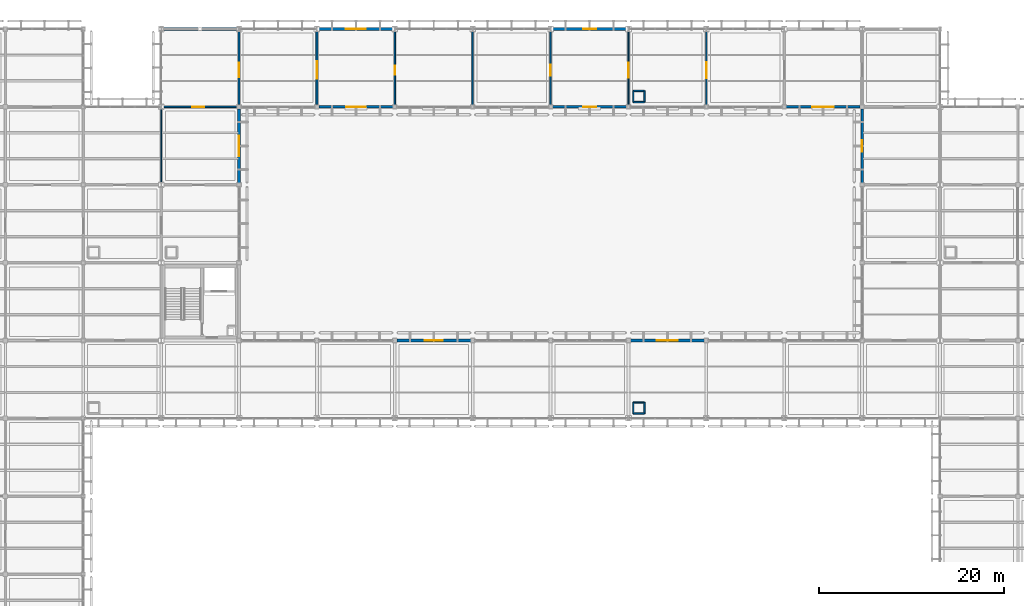
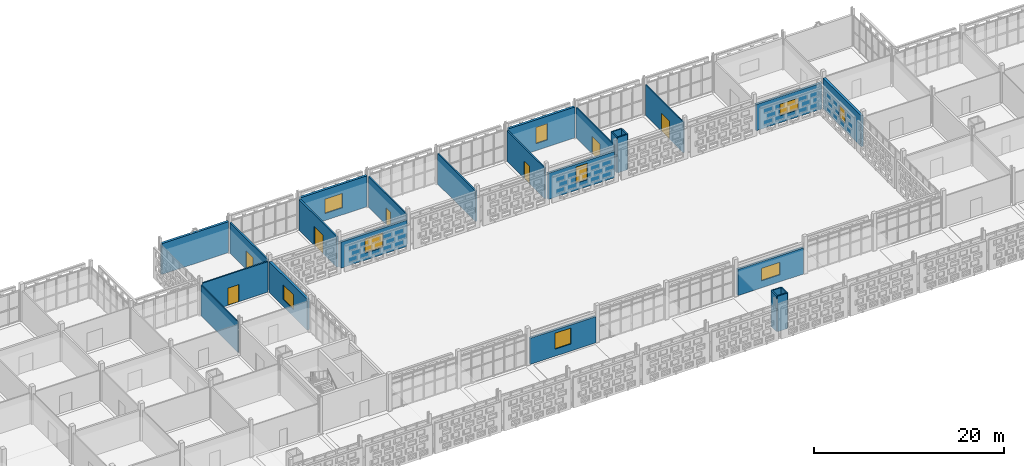
# One storey, part 122 of 203: 27 walls, 9 windows, 7 doors, 16 openings.
"""IFC4 building model written with IfcOpenShell, lengths in metres."""

from ifc_helpers import new_model, si_unit, direction, frame, frame_2d, origin, place, context, subcontext, project, spatial, rectangle, extrude, material, layer, layer_set, type_object, element, fill, save


model = new_model("IFC4")

# Units and contexts
model_context = context("Model", 3, precision=1e-05, world=origin(), true_north=direction((0.0, 1.0)))
body_context = subcontext(model_context, "Body", "Model", "MODEL_VIEW")
ifc_project = project(units=[si_unit("LENGTHUNIT", "METRE"), si_unit("AREAUNIT", "SQUARE_METRE"), si_unit("VOLUMEUNIT", "CUBIC_METRE"), si_unit("PLANEANGLEUNIT", "RADIAN"), si_unit("MASSUNIT", "GRAM", prefix="KILO")], contexts=[model_context])

# Site, building, storey
site_placement = place(None, origin())
site = spatial("IfcSite", under=ifc_project, at=site_placement, CompositionType="ELEMENT")
building_placement = place(site_placement, origin())
building = spatial("IfcBuilding", under=site, at=building_placement, Name="Varnapada Polytechnic", CompositionType="ELEMENT")
storey_placement = place(building_placement, frame((0.0, 0.0, 4.800048828125)))
storey = spatial("IfcBuildingStorey", under=building, at=storey_placement, Name="L01", CompositionType="ELEMENT", Elevation=4.800048828125)

# Walls
ifc_material_1 = material(Name="Autoclaved Aerated Concrete Block AAC-600", Category="concrete")
ifc_layer_1 = layer(ifc_material_1, 0.14990234375)
ifc_layer_set_1 = layer_set([ifc_layer_1], Name="Autoclaved Aerated Concrete Block AAC-600")
wall_type_1 = type_object("IfcWallType", Name="Interior Wall IW-02", PredefinedType="PARTITIONING", material=ifc_layer_set_1)
for number, where, z_axis, x_axis, name in (
    (1, (101.320068359375, 84.52001953125, 0.0), (0.0, 0.0, 1.0), (1.0, 0.0, 0.0), "L01 enclosed service riser wall (13,11) S"),
    (2, (102.52001953125, 84.52001953125, 0.0), (0.0, 0.0, 1.0), (0.0, 1.0, 0.0), "L01 enclosed service riser wall (13,11) E"),
    (3, (102.52001953125, 85.719970703125, 0.0), (0.0, 0.0, 1.0), (-1.0, 0.0, 0.0), "L01 enclosed service riser wall (13,11) N"),
    (4, (101.320068359375, 85.719970703125, 0.0), (0.0, 0.0, 1.0), (0.0, -1.0, 0.0), "L01 enclosed service riser wall (13,11) W"),
):
    element("IfcWall", number, at=place(storey_placement, frame(where, z_axis=z_axis, x_axis=x_axis)), inside=storey, type_object=wall_type_1, Name=name, PredefinedType="PARTITIONING", context=body_context, shape_type="SweptSolid", body=[
        extrude(rectangle(XDim=1.199951171875, YDim=0.14990234375, at=frame_2d((0.60009765625, 0.0))), origin(), (0.0, 0.0, 1.0), 4.56005859375),
    ])
for number, where, z_axis, x_axis, name in (
    (5, (101.320068359375, 118.1201171875, 0.0), (0.0, 0.0, 1.0), (1.0, 0.0, 0.0), "L01 enclosed service riser wall (13,15) S"),
    (6, (102.52001953125, 118.1201171875, 0.0), (0.0, 0.0, 1.0), (0.0, 1.0, 0.0), "L01 enclosed service riser wall (13,15) E"),
    (7, (102.52001953125, 119.320068359375, 0.0), (0.0, 0.0, 1.0), (-1.0, 0.0, 0.0), "L01 enclosed service riser wall (13,15) N"),
    (8, (101.320068359375, 119.320068359375, 0.0), (0.0, 0.0, 1.0), (0.0, -1.0, 0.0), "L01 enclosed service riser wall (13,15) W"),
):
    element("IfcWall", number, at=place(storey_placement, frame(where, z_axis=z_axis, x_axis=x_axis)), inside=storey, type_object=wall_type_1, Name=name, PredefinedType="PARTITIONING", context=body_context, shape_type="SweptSolid", body=[
        extrude(rectangle(XDim=1.199951171875, YDim=0.14990234375, at=frame_2d((0.60009765625, 0.0))), origin(), (0.0, 0.0, 1.0), 4.530029296875),
    ])
ifc_material_2 = material(Name="Gypsum Plasterboard Acoustic Partition")
ifc_layer_2 = layer(ifc_material_2, 0.125)
ifc_layer_set_2 = layer_set([ifc_layer_2], Name="Gypsum Plasterboard Acoustic Partition")
wall_type_2 = type_object("IfcWallType", Name="Interior Wall IW-03", PredefinedType="PARTITIONING", material=ifc_layer_set_2)
wall_1_placement = place(storey_placement, frame((50.39990234375, 109.469970703125, 0.0), z_axis=(0.0, 0.0, 1.0), x_axis=(0.0, 1.0, 0.0)))
element("IfcWall", 9, at=wall_1_placement, inside=storey, type_object=wall_type_2, Name="L01 interior partition IW-L01-05-13-V", PredefinedType="PARTITIONING", context=body_context, shape_type="SweptSolid", body=[
    extrude(rectangle(XDim=7.860107421875, YDim=0.125, at=frame_2d((3.93017578125, 0.0))), origin(), (0.0, 0.0, 1.0), 3.919921875),
])

# Wall, opening, door
ifc_material_3 = material(Name="Moisture-Resistant Cement Board Partition")
ifc_layer_3 = layer(ifc_material_3, 0.139892578125)
ifc_layer_set_3 = layer_set([ifc_layer_3], Name="Moisture-Resistant Cement Board Partition")
wall_type_3 = type_object("IfcWallType", Name="Interior Wall IW-04", PredefinedType="PARTITIONING", material=ifc_layer_set_3)
wall_2_placement = place(storey_placement, frame((100.800048828125, 117.800048828125, 0.0), z_axis=(0.0, 0.0, 1.0), x_axis=(0.0, 1.0, 0.0)))
wall_2 = element("IfcWall", 10, at=wall_2_placement, inside=storey, type_object=wall_type_3, Name="L01 interior partition IW-L01-11-14-V", PredefinedType="PARTITIONING", context=body_context, shape_type="SweptSolid", body=[
    extrude(rectangle(XDim=7.929931640625, YDim=0.139892578125, at=frame_2d((3.96484375, 0.0))), origin(), (0.0, 0.0, 1.0), 3.919921875),
])
opening_1_placement = place(wall_2_placement, frame((2.925048828125, 0.0, 0.0)))
opening_1 = element("IfcOpeningElement", 11, at=opening_1_placement, cuts=wall_2, Name="Opening D-1026", PredefinedType="OPENING", context=body_context, shape_type="SweptSolid", body=[
    extrude(rectangle(XDim=1.64990234375, YDim=2.25, at=frame_2d((0.824951171875, 1.125))), frame((0.0, 0.079833984375, 0.0), z_axis=(0.0, -1.0, 0.0), x_axis=(1.0, 0.0, 0.0)), (0.0, 0.0, 1.0), 0.159912109375),
])
ifc_material_4 = material(Name="Solid Teak Hardwood Timber", Category="wood")
door_type_1 = type_object("IfcDoorType", Name="Interior Door ID-08", OperationType="NOTDEFINED", PredefinedType="DOOR", material=ifc_material_4)
door_1_placement = place(opening_1_placement, origin())
door_1 = element("IfcDoor", 12, at=door_1_placement, inside=storey, type_object=door_type_1, Name="L01 interior room door D-1026", OperationType="SINGLE_SWING_LEFT", OverallHeight=2.25, OverallWidth=1.64990234375, PredefinedType="DOOR", context=body_context, shape_type="SweptSolid", body=[
    extrude(rectangle(XDim=1.64990234375, YDim=2.25, at=frame_2d((0.824951171875, 1.125))), frame((0.0, 0.02490234375, 0.0), z_axis=(0.0, -1.0, 0.0), x_axis=(1.0, 0.0, 0.0)), (0.0, 0.0, 1.0), 0.050048828125),
])
fill(opening_1, door_1)

ifc_material_5 = material(Name="Cross-laminated timber CLT C24", Category="wood")
ifc_layer_4 = layer(ifc_material_5, 0.159912109375)
ifc_layer_set_4 = layer_set([ifc_layer_4], Name="Cross-laminated timber CLT C24")
wall_type_4 = type_object("IfcWallType", Name="Interior Wall IW-05", PredefinedType="PARTITIONING", material=ifc_layer_set_4)
wall_3_placement = place(storey_placement, frame((75.60009765625, 117.800048828125, 0.0), z_axis=(0.0, 0.0, 1.0), x_axis=(0.0, 1.0, 0.0)))
wall_3 = element("IfcWall", 13, at=wall_3_placement, inside=storey, type_object=wall_type_4, Name="L01 interior partition IW-L01-08-14-V", PredefinedType="PARTITIONING", context=body_context, shape_type="SweptSolid", body=[
    extrude(rectangle(XDim=7.929931640625, YDim=0.159912109375, at=frame_2d((3.96484375, 0.0))), origin(), (0.0, 0.0, 1.0), 3.919921875),
])
opening_2_placement = place(wall_3_placement, frame((3.25, 0.0, 0.0)))
opening_2 = element("IfcOpeningElement", 14, at=opening_2_placement, cuts=wall_3, Name="Opening D-1020", PredefinedType="OPENING", context=body_context, shape_type="SweptSolid", body=[
    extrude(rectangle(XDim=1.0, YDim=2.14990234375, at=frame_2d((0.5, 1.074951171875))), frame((0.0, 0.08984375, 0.0), z_axis=(0.0, -1.0, 0.0), x_axis=(1.0, 0.0, 0.0)), (0.0, 0.0, 1.0), 0.179931640625),
])
door_type_2 = type_object("IfcDoorType", Name="Interior Door ID-02", OperationType="NOTDEFINED", PredefinedType="DOOR", material=ifc_material_4)
door_2_placement = place(opening_2_placement, origin())
door_2 = element("IfcDoor", 15, at=door_2_placement, inside=storey, type_object=door_type_2, Name="L01 interior room door D-1020", OperationType="SINGLE_SWING_LEFT", OverallHeight=2.14990234375, OverallWidth=1.0, PredefinedType="DOOR", context=body_context, shape_type="SweptSolid", body=[
    extrude(rectangle(XDim=1.0, YDim=2.14990234375, at=frame_2d((0.5, 1.074951171875))), frame((0.0, 0.02490234375, 0.0), z_axis=(0.0, -1.0, 0.0), x_axis=(1.0, 0.0, 0.0)), (0.0, 0.0, 1.0), 0.050048828125),
])
fill(opening_2, door_2)

ifc_material_6 = material(Name="Calcium Silicate Acoustic Lab Partition")
ifc_layer_5 = layer(ifc_material_6, 0.135009765625)
ifc_layer_set_5 = layer_set([ifc_layer_5], Name="Calcium Silicate Acoustic Lab Partition")
wall_type_5 = type_object("IfcWallType", Name="Interior Wall IW-09", PredefinedType="PARTITIONING", material=ifc_layer_set_5)
wall_4_placement = place(storey_placement, frame((109.199951171875, 117.800048828125, 0.0), z_axis=(0.0, 0.0, 1.0), x_axis=(0.0, 1.0, 0.0)))
wall_4 = element("IfcWall", 16, at=wall_4_placement, inside=storey, type_object=wall_type_5, Name="L01 interior partition IW-L01-12-14-V", PredefinedType="PARTITIONING", context=body_context, shape_type="SweptSolid", body=[
    extrude(rectangle(XDim=7.929931640625, YDim=0.135009765625, at=frame_2d((3.96484375, 0.0))), origin(), (0.0, 0.0, 1.0), 3.919921875),
])
opening_3_placement = place(wall_4_placement, frame((2.89990234375, 0.0, 0.0)))
opening_3 = element("IfcOpeningElement", 17, at=opening_3_placement, cuts=wall_4, Name="Opening D-1031", PredefinedType="OPENING", context=body_context, shape_type="SweptSolid", body=[
    extrude(rectangle(XDim=1.699951171875, YDim=2.300048828125, at=frame_2d((0.85009765625, 1.14990234375))), frame((0.0, 0.077392578125, 0.0), z_axis=(0.0, -1.0, 0.0), x_axis=(1.0, 0.0, 0.0)), (0.0, 0.0, 1.0), 0.155029296875),
])
ifc_material_7 = material(Name="Acoustic Double Timber Leaf", Category="wood")
door_type_3 = type_object("IfcDoorType", Name="Interior Door ID-13", OperationType="NOTDEFINED", PredefinedType="DOOR", material=ifc_material_7)
door_3_placement = place(opening_3_placement, frame((1.699951171875, 0.0, 0.0), z_axis=(0.0, 0.0, 1.0), x_axis=(-1.0, 0.0, 0.0)))
door_3 = element("IfcDoor", 18, at=door_3_placement, inside=storey, type_object=door_type_3, Name="L01 interior room door D-1031", OperationType="SINGLE_SWING_RIGHT", OverallHeight=2.300048828125, OverallWidth=1.699951171875, PredefinedType="DOOR", context=body_context, shape_type="SweptSolid", body=[
    extrude(rectangle(XDim=1.699951171875, YDim=2.300048828125, at=frame_2d((0.85009765625, 1.14990234375))), frame((0.0, 0.02490234375, 0.0), z_axis=(0.0, -1.0, 0.0), x_axis=(1.0, 0.0, 0.0)), (0.0, 0.0, 1.0), 0.050048828125),
])
fill(opening_3, door_3)

ifc_material_8 = material(Name="Double-Layer Fireboard Workshop Wall")
ifc_layer_6 = layer(ifc_material_8, 0.169921875)
ifc_layer_set_6 = layer_set([ifc_layer_6], Name="Double-Layer Fireboard Workshop Wall")
wall_type_6 = type_object("IfcWallType", Name="Interior Wall IW-10", PredefinedType="PARTITIONING", material=ifc_layer_set_6)
wall_5_placement = place(storey_placement, frame((50.669921875, 117.60009765625, 0.0), z_axis=(0.0, 0.0, 1.0), x_axis=(1.0, 0.0, 0.0)))
wall_5 = element("IfcWall", 19, at=wall_5_placement, inside=storey, type_object=wall_type_6, Name="L01 interior partition IW-L01-06-13-H", PredefinedType="PARTITIONING", context=body_context, shape_type="SweptSolid", body=[
    extrude(rectangle(XDim=7.900146484375, YDim=0.169921875, at=frame_2d((3.9501953125, 0.0))), origin(), (0.0, 0.0, 1.0), 3.919921875),
])
opening_4_placement = place(wall_5_placement, frame((3.10009765625, 0.0, 0.0)))
opening_4 = element("IfcOpeningElement", 20, at=opening_4_placement, cuts=wall_5, Name="Opening D-1012", PredefinedType="OPENING", context=body_context, shape_type="SweptSolid", body=[
    extrude(rectangle(XDim=1.300048828125, YDim=2.199951171875, at=frame_2d((0.64990234375, 1.10009765625))), frame((0.0, 0.094970703125, 0.0), z_axis=(0.0, -1.0, 0.0), x_axis=(1.0, 0.0, 0.0)), (0.0, 0.0, 1.0), 0.18994140625),
])
ifc_material_9 = material(Name="Acoustic Laminated Timber Leaf", Category="wood")
door_type_4 = type_object("IfcDoorType", Name="Interior Door ID-11", OperationType="NOTDEFINED", PredefinedType="DOOR", material=ifc_material_9)
door_4_placement = place(opening_4_placement, origin())
door_4 = element("IfcDoor", 21, at=door_4_placement, inside=storey, type_object=door_type_4, Name="L01 interior room door D-1012", OperationType="SINGLE_SWING_LEFT", OverallHeight=2.199951171875, OverallWidth=1.300048828125, PredefinedType="DOOR", context=body_context, shape_type="SweptSolid", body=[
    extrude(rectangle(XDim=1.300048828125, YDim=2.199951171875, at=frame_2d((0.64990234375, 1.10009765625))), frame((0.0, 0.02490234375, 0.0), z_axis=(0.0, -1.0, 0.0), x_axis=(1.0, 0.0, 0.0)), (0.0, 0.0, 1.0), 0.050048828125),
])
fill(opening_4, door_4)

# Wall
wall_6_placement = place(storey_placement, frame((84.0, 117.800048828125, 0.0), z_axis=(0.0, 0.0, 1.0), x_axis=(0.0, 1.0, 0.0)))
element("IfcWall", 22, at=wall_6_placement, inside=storey, type_object=wall_type_6, Name="L01 interior partition IW-L01-09-14-V", PredefinedType="PARTITIONING", context=body_context, shape_type="SweptSolid", body=[
    extrude(rectangle(XDim=7.929931640625, YDim=0.169921875, at=frame_2d((3.96484375, 0.0))), origin(), (0.0, 0.0, 1.0), 3.919921875),
])

# Wall, opening, door
ifc_material_10 = material(Name="Insulated Masonry Plant Room Wall", Category="masonry")
ifc_layer_7 = layer(ifc_material_10, 0.18994140625)
ifc_layer_set_7 = layer_set([ifc_layer_7], Name="Insulated Masonry Plant Room Wall")
wall_type_7 = type_object("IfcWallType", Name="Interior Wall IW-11", PredefinedType="PARTITIONING", material=ifc_layer_set_7)
wall_7_placement = place(storey_placement, frame((58.800048828125, 117.830078125, 0.0), z_axis=(0.0, 0.0, 1.0), x_axis=(0.0, 1.0, 0.0)))
wall_7 = element("IfcWall", 23, at=wall_7_placement, inside=storey, type_object=wall_type_7, Name="L01 interior partition IW-L01-06-14-V", PredefinedType="PARTITIONING", context=body_context, shape_type="SweptSolid", body=[
    extrude(rectangle(XDim=7.89990234375, YDim=0.18994140625, at=frame_2d((3.949951171875, 0.0))), origin(), (0.0, 0.0, 1.0), 3.919921875),
])
opening_5_placement = place(wall_7_placement, frame((2.97509765625, 0.0, 0.0)))
opening_5 = element("IfcOpeningElement", 24, at=opening_5_placement, cuts=wall_7, Name="Opening D-1013", PredefinedType="OPENING", context=body_context, shape_type="SweptSolid", body=[
    extrude(rectangle(XDim=1.550048828125, YDim=2.35009765625, at=frame_2d((0.77490234375, 1.175048828125))), frame((0.0, 0.10498046875, 0.0), z_axis=(0.0, -1.0, 0.0), x_axis=(1.0, 0.0, 0.0)), (0.0, 0.0, 1.0), 0.2099609375),
])
ifc_material_11 = material(Name="Galvanized Steel Z275", Category="steel")
door_type_5 = type_object("IfcDoorType", Name="Interior Door ID-12", OperationType="NOTDEFINED", PredefinedType="DOOR", material=ifc_material_11)
door_5_placement = place(opening_5_placement, frame((1.550048828125, 0.0, 0.0), z_axis=(0.0, 0.0, 1.0), x_axis=(-1.0, 0.0, 0.0)))
door_5 = element("IfcDoor", 25, at=door_5_placement, inside=storey, type_object=door_type_5, Name="L01 interior room door D-1013", OperationType="SINGLE_SWING_RIGHT", OverallHeight=2.35009765625, OverallWidth=1.550048828125, PredefinedType="DOOR", context=body_context, shape_type="SweptSolid", body=[
    extrude(rectangle(XDim=1.550048828125, YDim=2.35009765625, at=frame_2d((0.77490234375, 1.175048828125))), frame((0.0, 0.02490234375, 0.0), z_axis=(0.0, -1.0, 0.0), x_axis=(1.0, 0.0, 0.0)), (0.0, 0.0, 1.0), 0.050048828125),
])
fill(opening_5, door_5)

ifc_material_12 = material(Name="Perforated Timber-Lined Seminar Wall", Category="wood")
ifc_layer_8 = layer(ifc_material_12, 0.155029296875)
ifc_layer_set_8 = layer_set([ifc_layer_8], Name="Perforated Timber-Lined Seminar Wall")
wall_type_8 = type_object("IfcWallType", Name="Interior Wall IW-15", PredefinedType="PARTITIONING", material=ifc_layer_set_8)
wall_8_placement = place(storey_placement, frame((92.39990234375, 117.800048828125, 0.0), z_axis=(0.0, 0.0, 1.0), x_axis=(0.0, 1.0, 0.0)))
wall_8 = element("IfcWall", 26, at=wall_8_placement, inside=storey, type_object=wall_type_8, Name="L01 interior partition IW-L01-10-14-V", PredefinedType="PARTITIONING", context=body_context, shape_type="SweptSolid", body=[
    extrude(rectangle(XDim=7.929931640625, YDim=0.155029296875, at=frame_2d((3.96484375, 0.0))), origin(), (0.0, 0.0, 1.0), 3.919921875),
])
opening_6_placement = place(wall_8_placement, frame((3.14990234375, 0.0, 0.0)))
opening_6 = element("IfcOpeningElement", 27, at=opening_6_placement, cuts=wall_8, Name="Opening D-1023", PredefinedType="OPENING", context=body_context, shape_type="SweptSolid", body=[
    extrude(rectangle(XDim=1.199951171875, YDim=2.199951171875, at=frame_2d((0.60009765625, 1.10009765625))), frame((0.0, 0.08740234375, 0.0), z_axis=(0.0, -1.0, 0.0), x_axis=(1.0, 0.0, 0.0)), (0.0, 0.0, 1.0), 0.175048828125),
])
door_type_6 = type_object("IfcDoorType", Name="Interior Door ID-05", OperationType="NOTDEFINED", PredefinedType="DOOR", material=ifc_material_4)
door_6_placement = place(opening_6_placement, origin())
door_6 = element("IfcDoor", 28, at=door_6_placement, inside=storey, type_object=door_type_6, Name="L01 interior room door D-1023", OperationType="SINGLE_SWING_RIGHT", OverallHeight=2.199951171875, OverallWidth=1.199951171875, PredefinedType="DOOR", context=body_context, shape_type="SweptSolid", body=[
    extrude(rectangle(XDim=1.199951171875, YDim=2.199951171875, at=frame_2d((0.60009765625, 1.10009765625))), frame((0.0, 0.02490234375, 0.0), z_axis=(0.0, -1.0, 0.0), x_axis=(1.0, 0.0, 0.0)), (0.0, 0.0, 1.0), 0.050048828125),
])
fill(opening_6, door_6)

ifc_material_13 = material(Name="Heavy Masonry Workshop Partition", Category="masonry")
ifc_layer_9 = layer(ifc_material_13, 0.2099609375)
ifc_layer_set_9 = layer_set([ifc_layer_9], Name="Heavy Masonry Workshop Partition")
wall_type_9 = type_object("IfcWallType", Name="Interior Wall IW-16", PredefinedType="PARTITIONING", material=ifc_layer_set_9)
wall_9_placement = place(storey_placement, frame((67.199951171875, 117.830078125, 0.0), z_axis=(0.0, 0.0, 1.0), x_axis=(0.0, 1.0, 0.0)))
wall_9 = element("IfcWall", 29, at=wall_9_placement, inside=storey, type_object=wall_type_9, Name="L01 interior partition IW-L01-07-14-V", PredefinedType="PARTITIONING", context=body_context, shape_type="SweptSolid", body=[
    extrude(rectangle(XDim=7.89990234375, YDim=0.2099609375, at=frame_2d((3.949951171875, 0.0))), origin(), (0.0, 0.0, 1.0), 3.919921875),
])
opening_7_placement = place(wall_9_placement, frame((2.800048828125, 0.0, 0.0)))
opening_7 = element("IfcOpeningElement", 30, at=opening_7_placement, cuts=wall_9, Name="Opening D-1015", PredefinedType="OPENING", context=body_context, shape_type="SweptSolid", body=[
    extrude(rectangle(XDim=1.89990234375, YDim=2.39990234375, at=frame_2d((0.949951171875, 1.199951171875))), frame((0.0, 0.114990234375, 0.0), z_axis=(0.0, -1.0, 0.0), x_axis=(1.0, 0.0, 0.0)), (0.0, 0.0, 1.0), 0.22998046875),
])
ifc_material_14 = material(Name="Heavy Workshop Double Steel Door", Category="steel")
door_type_7 = type_object("IfcDoorType", Name="Interior Door ID-14", OperationType="NOTDEFINED", PredefinedType="DOOR", material=ifc_material_14)
door_7_placement = place(opening_7_placement, origin())
door_7 = element("IfcDoor", 31, at=door_7_placement, inside=storey, type_object=door_type_7, Name="L01 interior room door D-1015", OperationType="SINGLE_SWING_RIGHT", OverallHeight=2.39990234375, OverallWidth=1.89990234375, PredefinedType="DOOR", context=body_context, shape_type="SweptSolid", body=[
    extrude(rectangle(XDim=1.89990234375, YDim=2.39990234375, at=frame_2d((0.949951171875, 1.199951171875))), frame((0.0, 0.02490234375, 0.0), z_axis=(0.0, -1.0, 0.0), x_axis=(1.0, 0.0, 0.0)), (0.0, 0.0, 1.0), 0.050048828125),
])
fill(opening_7, door_7)

# Wall, opening, window
ifc_material_15 = material(Name="Precast concrete C40/50", Category="concrete")
ifc_layer_10 = layer(ifc_material_15, 0.280029296875)
ifc_layer_set_10 = layer_set([ifc_layer_10], Name="Precast concrete C40/50")
wall_type_10 = type_object("IfcWallType", Name="Wall EW-02", PredefinedType="SOLIDWALL", material=ifc_layer_set_10)
wall_10_placement = place(storey_placement, frame((58.800048828125, 117.389892578125, 0.0), z_axis=(0.0, 0.0, 1.0), x_axis=(0.0, -1.0, 0.0)))
wall_10 = element("IfcWall", 32, at=wall_10_placement, inside=storey, type_object=wall_type_10, Name="L01 exterior wall EW-02 (51)", PredefinedType="SOLIDWALL", context=body_context, shape_type="SweptSolid", body=[
    extrude(rectangle(XDim=7.97998046875, YDim=0.280029296875, at=frame_2d((3.989990234375, 0.0))), origin(), (0.0, 0.0, 1.0), 3.9599609375),
])
opening_8_placement = place(wall_10_placement, frame((2.889892578125, 0.0, 0.89990234375)))
opening_8 = element("IfcOpeningElement", 33, at=opening_8_placement, cuts=wall_10, Name="Opening WN-12", PredefinedType="OPENING", context=body_context, shape_type="SweptSolid", body=[
    extrude(rectangle(XDim=2.199951171875, YDim=1.89990234375, at=frame_2d((1.10009765625, 0.949951171875))), frame((0.0, 0.14990234375, 0.0), z_axis=(0.0, -1.0, 0.0), x_axis=(1.0, 0.0, 0.0)), (0.0, 0.0, 1.0), 0.300048828125),
])
ifc_material_16 = material(Name="Double low-E laminated glass", Category="glass")
window_type_1 = type_object("IfcWindowType", Name="Window WN-12", PartitioningType="SINGLE_PANEL", PredefinedType="WINDOW", material=ifc_material_16)
window_1_placement = place(opening_8_placement, origin())
window_1 = element("IfcWindow", 34, at=window_1_placement, inside=storey, type_object=window_type_1, Name="L01 window WN-12 (78)", OverallHeight=1.89990234375, OverallWidth=2.199951171875, PartitioningType="SINGLE_PANEL", PredefinedType="WINDOW", context=body_context, shape_type="SweptSolid", body=[
    extrude(rectangle(XDim=2.199951171875, YDim=1.89990234375, at=frame_2d((1.10009765625, 0.949951171875))), frame((0.0, 0.030029296875, 0.0), z_axis=(0.0, -1.0, 0.0), x_axis=(1.0, 0.0, 0.0)), (0.0, 0.0, 1.0), 0.06005859375),
])
fill(opening_8, window_1)

# Wall
wall_11_placement = place(storey_placement, frame((50.550048828125, 126.0, 0.0), z_axis=(0.0, 0.0, 1.0), x_axis=(1.0, 0.0, 0.0)))
element("IfcWall", 35, at=wall_11_placement, inside=storey, type_object=wall_type_10, Name="L01 exterior wall EW-02 (52)", PredefinedType="SOLIDWALL", context=body_context, shape_type="SweptSolid", body=[
    extrude(rectangle(XDim=8.099853515625, YDim=0.280029296875, at=frame_2d((4.0498046875, 0.0))), origin(), (0.0, 0.0, 1.0), 3.9599609375),
])

# Wall, opening, window
wall_12_placement = place(storey_placement, frame((75.419921875, 117.60009765625, 0.0), z_axis=(0.0, 0.0, 1.0), x_axis=(-1.0, 0.0, 0.0)))
wall_12 = element("IfcWall", 36, at=wall_12_placement, inside=storey, type_object=wall_type_10, Name="L01 exterior wall EW-02 (64)", PredefinedType="SOLIDWALL", context=body_context, shape_type="SweptSolid", body=[
    extrude(rectangle(XDim=8.010009765625, YDim=0.280029296875, at=frame_2d((4.0048828125, 0.0))), origin(), (0.0, 0.0, 1.0), 3.349853515625),
])
opening_9_placement = place(wall_12_placement, frame((2.929931640625, 0.0, 0.89990234375)))
opening_9 = element("IfcOpeningElement", 37, at=opening_9_placement, cuts=wall_12, Name="Opening WN-25", PredefinedType="OPENING", context=body_context, shape_type="SweptSolid", body=[
    extrude(rectangle(XDim=2.14990234375, YDim=1.85009765625, at=frame_2d((1.074951171875, 0.925048828125))), frame((0.0, 0.14990234375, 0.0), z_axis=(0.0, -1.0, 0.0), x_axis=(1.0, 0.0, 0.0)), (0.0, 0.0, 1.0), 0.300048828125),
])
window_type_2 = type_object("IfcWindowType", Name="Window WN-25", PartitioningType="SINGLE_PANEL", PredefinedType="WINDOW", material=ifc_material_16)
window_2_placement = place(opening_9_placement, origin())
window_2 = element("IfcWindow", 38, at=window_2_placement, inside=storey, type_object=window_type_2, Name="L01 window WN-25 (80)", OverallHeight=1.85009765625, OverallWidth=2.14990234375, PartitioningType="SINGLE_PANEL", PredefinedType="WINDOW", context=body_context, shape_type="SweptSolid", body=[
    extrude(rectangle(XDim=2.14990234375, YDim=1.85009765625, at=frame_2d((1.074951171875, 0.925048828125))), frame((0.0, 0.030029296875, 0.0), z_axis=(0.0, -1.0, 0.0), x_axis=(1.0, 0.0, 0.0)), (0.0, 0.0, 1.0), 0.06005859375),
])
fill(opening_9, window_2)

wall_13_placement = place(storey_placement, frame((67.35009765625, 126.0, 0.0), z_axis=(0.0, 0.0, 1.0), x_axis=(1.0, 0.0, 0.0)))
wall_13 = element("IfcWall", 39, at=wall_13_placement, inside=storey, type_object=wall_type_10, Name="L01 exterior wall EW-02 (65)", PredefinedType="SOLIDWALL", context=body_context, shape_type="SweptSolid", body=[
    extrude(rectangle(XDim=8.099853515625, YDim=0.280029296875, at=frame_2d((4.0498046875, 0.0))), origin(), (0.0, 0.0, 1.0), 3.9599609375),
])
opening_10_placement = place(wall_13_placement, frame((2.97509765625, 0.0, 0.89990234375)))
opening_10 = element("IfcOpeningElement", 40, at=opening_10_placement, cuts=wall_13, Name="Opening WN-25", PredefinedType="OPENING", context=body_context, shape_type="SweptSolid", body=[
    extrude(rectangle(XDim=2.14990234375, YDim=1.85009765625, at=frame_2d((1.074951171875, 0.925048828125))), frame((0.0, 0.14990234375, 0.0), z_axis=(0.0, -1.0, 0.0), x_axis=(1.0, 0.0, 0.0)), (0.0, 0.0, 1.0), 0.300048828125),
])
window_3_placement = place(opening_10_placement, origin())
window_3 = element("IfcWindow", 41, at=window_3_placement, inside=storey, type_object=window_type_2, Name="L01 window WN-25 (81)", OverallHeight=1.85009765625, OverallWidth=2.14990234375, PartitioningType="SINGLE_PANEL", PredefinedType="WINDOW", context=body_context, shape_type="SweptSolid", body=[
    extrude(rectangle(XDim=2.14990234375, YDim=1.85009765625, at=frame_2d((1.074951171875, 0.925048828125))), frame((0.0, 0.030029296875, 0.0), z_axis=(0.0, -1.0, 0.0), x_axis=(1.0, 0.0, 0.0)), (0.0, 0.0, 1.0), 0.06005859375),
])
fill(opening_10, window_3)

wall_14_placement = place(storey_placement, frame((75.81005859375, 92.39990234375, 0.0), z_axis=(0.0, 0.0, 1.0), x_axis=(1.0, 0.0, 0.0)))
wall_14 = element("IfcWall", 42, at=wall_14_placement, inside=storey, type_object=wall_type_10, Name="L01 exterior wall EW-02 (69)", PredefinedType="SOLIDWALL", context=body_context, shape_type="SweptSolid", body=[
    extrude(rectangle(XDim=7.97998046875, YDim=0.280029296875, at=frame_2d((3.989990234375, 0.0))), origin(), (0.0, 0.0, 1.0), 3.349853515625),
])
opening_11_placement = place(wall_14_placement, frame((3.0400390625, 0.0, 0.89990234375)))
opening_11 = element("IfcOpeningElement", 43, at=opening_11_placement, cuts=wall_14, Name="Opening WN-18", PredefinedType="OPENING", context=body_context, shape_type="SweptSolid", body=[
    extrude(rectangle(XDim=1.89990234375, YDim=2.050048828125, at=frame_2d((0.949951171875, 1.02490234375))), frame((0.0, 0.14990234375, 0.0), z_axis=(0.0, -1.0, 0.0), x_axis=(1.0, 0.0, 0.0)), (0.0, 0.0, 1.0), 0.300048828125),
])
window_type_3 = type_object("IfcWindowType", Name="Window WN-18", PartitioningType="SINGLE_PANEL", PredefinedType="WINDOW", material=ifc_material_16)
window_4_placement = place(opening_11_placement, origin())
window_4 = element("IfcWindow", 44, at=window_4_placement, inside=storey, type_object=window_type_3, Name="L01 window WN-18 (82)", OverallHeight=2.050048828125, OverallWidth=1.89990234375, PartitioningType="SINGLE_PANEL", PredefinedType="WINDOW", context=body_context, shape_type="SweptSolid", body=[
    extrude(rectangle(XDim=1.89990234375, YDim=2.050048828125, at=frame_2d((0.949951171875, 1.02490234375))), frame((0.0, 0.030029296875, 0.0), z_axis=(0.0, -1.0, 0.0), x_axis=(1.0, 0.0, 0.0)), (0.0, 0.0, 1.0), 0.06005859375),
])
fill(opening_11, window_4)

wall_15_placement = place(storey_placement, frame((100.6201171875, 117.60009765625, 0.0), z_axis=(0.0, 0.0, 1.0), x_axis=(-1.0, 0.0, 0.0)))
wall_15 = element("IfcWall", 45, at=wall_15_placement, inside=storey, type_object=wall_type_10, Name="L01 exterior wall EW-02 (82)", PredefinedType="SOLIDWALL", context=body_context, shape_type="SweptSolid", body=[
    extrude(rectangle(XDim=8.0400390625, YDim=0.280029296875, at=frame_2d((4.02001953125, 0.0))), origin(), (0.0, 0.0, 1.0), 3.349853515625),
])
opening_12_placement = place(wall_15_placement, frame((3.320068359375, 0.0, 0.89990234375)))
opening_12 = element("IfcOpeningElement", 46, at=opening_12_placement, cuts=wall_15, Name="Opening WN-04", PredefinedType="OPENING", context=body_context, shape_type="SweptSolid", body=[
    extrude(rectangle(XDim=1.39990234375, YDim=2.10009765625, at=frame_2d((0.699951171875, 1.050048828125))), frame((0.0, 0.14990234375, 0.0), z_axis=(0.0, -1.0, 0.0), x_axis=(1.0, 0.0, 0.0)), (0.0, 0.0, 1.0), 0.300048828125),
])
window_type_4 = type_object("IfcWindowType", Name="Window WN-04", PartitioningType="SINGLE_PANEL", PredefinedType="WINDOW", material=ifc_material_16)
window_5_placement = place(opening_12_placement, origin())
window_5 = element("IfcWindow", 47, at=window_5_placement, inside=storey, type_object=window_type_4, Name="L01 window WN-04 (84)", OverallHeight=2.10009765625, OverallWidth=1.39990234375, PartitioningType="SINGLE_PANEL", PredefinedType="WINDOW", context=body_context, shape_type="SweptSolid", body=[
    extrude(rectangle(XDim=1.39990234375, YDim=2.10009765625, at=frame_2d((0.699951171875, 1.050048828125))), frame((0.0, 0.030029296875, 0.0), z_axis=(0.0, -1.0, 0.0), x_axis=(1.0, 0.0, 0.0)), (0.0, 0.0, 1.0), 0.06005859375),
])
fill(opening_12, window_5)

wall_16_placement = place(storey_placement, frame((92.550048828125, 126.0, 0.0), z_axis=(0.0, 0.0, 1.0), x_axis=(1.0, 0.0, 0.0)))
wall_16 = element("IfcWall", 48, at=wall_16_placement, inside=storey, type_object=wall_type_10, Name="L01 exterior wall EW-02 (83)", PredefinedType="SOLIDWALL", context=body_context, shape_type="SweptSolid", body=[
    extrude(rectangle(XDim=8.099853515625, YDim=0.280029296875, at=frame_2d((4.0498046875, 0.0))), origin(), (0.0, 0.0, 1.0), 3.9599609375),
])
opening_13_placement = place(wall_16_placement, frame((3.35009765625, 0.0, 0.89990234375)))
opening_13 = element("IfcOpeningElement", 49, at=opening_13_placement, cuts=wall_16, Name="Opening WN-04", PredefinedType="OPENING", context=body_context, shape_type="SweptSolid", body=[
    extrude(rectangle(XDim=1.39990234375, YDim=2.10009765625, at=frame_2d((0.699951171875, 1.050048828125))), frame((0.0, 0.14990234375, 0.0), z_axis=(0.0, -1.0, 0.0), x_axis=(1.0, 0.0, 0.0)), (0.0, 0.0, 1.0), 0.300048828125),
])
window_6_placement = place(opening_13_placement, origin())
window_6 = element("IfcWindow", 50, at=window_6_placement, inside=storey, type_object=window_type_4, Name="L01 window WN-04 (85)", OverallHeight=2.10009765625, OverallWidth=1.39990234375, PartitioningType="SINGLE_PANEL", PredefinedType="WINDOW", context=body_context, shape_type="SweptSolid", body=[
    extrude(rectangle(XDim=1.39990234375, YDim=2.10009765625, at=frame_2d((0.699951171875, 1.050048828125))), frame((0.0, 0.030029296875, 0.0), z_axis=(0.0, -1.0, 0.0), x_axis=(1.0, 0.0, 0.0)), (0.0, 0.0, 1.0), 0.06005859375),
])
fill(opening_13, window_6)

wall_17_placement = place(storey_placement, frame((101.010009765625, 92.39990234375, 0.0), z_axis=(0.0, 0.0, 1.0), x_axis=(1.0, 0.0, 0.0)))
wall_17 = element("IfcWall", 51, at=wall_17_placement, inside=storey, type_object=wall_type_10, Name="L01 exterior wall EW-02 (87)", PredefinedType="SOLIDWALL", context=body_context, shape_type="SweptSolid", body=[
    extrude(rectangle(XDim=7.97998046875, YDim=0.280029296875, at=frame_2d((3.989990234375, 0.0))), origin(), (0.0, 0.0, 1.0), 3.349853515625),
])
opening_14_placement = place(wall_17_placement, frame((2.864990234375, 0.0, 0.89990234375)))
opening_14 = element("IfcOpeningElement", 52, at=opening_14_placement, cuts=wall_17, Name="Opening WN-33", PredefinedType="OPENING", context=body_context, shape_type="SweptSolid", body=[
    extrude(rectangle(XDim=2.25, YDim=1.60009765625, at=frame_2d((1.125, 0.800048828125))), frame((0.0, 0.14990234375, 0.0), z_axis=(0.0, -1.0, 0.0), x_axis=(1.0, 0.0, 0.0)), (0.0, 0.0, 1.0), 0.300048828125),
])
window_type_5 = type_object("IfcWindowType", Name="Window WN-33", PartitioningType="SINGLE_PANEL", PredefinedType="WINDOW", material=ifc_material_16)
window_7_placement = place(opening_14_placement, origin())
window_7 = element("IfcWindow", 53, at=window_7_placement, inside=storey, type_object=window_type_5, Name="L01 window WN-33 (86)", OverallHeight=1.60009765625, OverallWidth=2.25, PartitioningType="SINGLE_PANEL", PredefinedType="WINDOW", context=body_context, shape_type="SweptSolid", body=[
    extrude(rectangle(XDim=2.25, YDim=1.60009765625, at=frame_2d((1.125, 0.800048828125))), frame((0.0, 0.030029296875, 0.0), z_axis=(0.0, -1.0, 0.0), x_axis=(1.0, 0.0, 0.0)), (0.0, 0.0, 1.0), 0.06005859375),
])
fill(opening_14, window_7)

wall_18_placement = place(storey_placement, frame((125.7900390625, 117.60009765625, 0.0), z_axis=(0.0, 0.0, 1.0), x_axis=(-1.0, 0.0, 0.0)))
wall_18 = element("IfcWall", 54, at=wall_18_placement, inside=storey, type_object=wall_type_10, Name="L01 exterior wall EW-02 (100)", PredefinedType="SOLIDWALL", context=body_context, shape_type="SweptSolid", body=[
    extrude(rectangle(XDim=8.0, YDim=0.280029296875, at=frame_2d((4.0, 0.0))), origin(), (0.0, 0.0, 1.0), 3.349853515625),
])
opening_15_placement = place(wall_18_placement, frame((2.85009765625, 0.0, 0.89990234375)))
opening_15 = element("IfcOpeningElement", 55, at=opening_15_placement, cuts=wall_18, Name="Opening WN-19", PredefinedType="OPENING", context=body_context, shape_type="SweptSolid", body=[
    extrude(rectangle(XDim=2.300048828125, YDim=1.5, at=frame_2d((1.14990234375, 0.75))), frame((0.0, 0.14990234375, 0.0), z_axis=(0.0, -1.0, 0.0), x_axis=(1.0, 0.0, 0.0)), (0.0, 0.0, 1.0), 0.300048828125),
])
window_type_6 = type_object("IfcWindowType", Name="Window WN-19", PartitioningType="SINGLE_PANEL", PredefinedType="WINDOW", material=ifc_material_16)
window_8_placement = place(opening_15_placement, origin())
window_8 = element("IfcWindow", 56, at=window_8_placement, inside=storey, type_object=window_type_6, Name="L01 window WN-19 (88)", OverallHeight=1.5, OverallWidth=2.300048828125, PartitioningType="SINGLE_PANEL", PredefinedType="WINDOW", context=body_context, shape_type="SweptSolid", body=[
    extrude(rectangle(XDim=2.300048828125, YDim=1.5, at=frame_2d((1.14990234375, 0.75))), frame((0.0, 0.030029296875, 0.0), z_axis=(0.0, -1.0, 0.0), x_axis=(1.0, 0.0, 0.0)), (0.0, 0.0, 1.0), 0.06005859375),
])
fill(opening_15, window_8)

wall_19_placement = place(storey_placement, frame((126.0, 109.409912109375, 0.0), z_axis=(0.0, 0.0, 1.0), x_axis=(0.0, 1.0, 0.0)))
wall_19 = element("IfcWall", 57, at=wall_19_placement, inside=storey, type_object=wall_type_10, Name="L01 exterior wall EW-02 (110)", PredefinedType="SOLIDWALL", context=body_context, shape_type="SweptSolid", body=[
    extrude(rectangle(XDim=7.97998046875, YDim=0.280029296875, at=frame_2d((3.989990234375, 0.0))), origin(), (0.0, 0.0, 1.0), 3.9599609375),
])
opening_16_placement = place(wall_19_placement, frame((3.364990234375, 0.0, 0.89990234375)))
opening_16 = element("IfcOpeningElement", 58, at=opening_16_placement, cuts=wall_19, Name="Opening WN-21", PredefinedType="OPENING", context=body_context, shape_type="SweptSolid", body=[
    extrude(rectangle(XDim=1.25, YDim=1.699951171875, at=frame_2d((0.625, 0.85009765625))), frame((0.0, 0.14990234375, 0.0), z_axis=(0.0, -1.0, 0.0), x_axis=(1.0, 0.0, 0.0)), (0.0, 0.0, 1.0), 0.300048828125),
])
window_type_7 = type_object("IfcWindowType", Name="Window WN-21", PartitioningType="SINGLE_PANEL", PredefinedType="WINDOW", material=ifc_material_16)
window_9_placement = place(opening_16_placement, origin())
window_9 = element("IfcWindow", 59, at=window_9_placement, inside=storey, type_object=window_type_7, Name="L01 window WN-21 (91)", OverallHeight=1.699951171875, OverallWidth=1.25, PartitioningType="SINGLE_PANEL", PredefinedType="WINDOW", context=body_context, shape_type="SweptSolid", body=[
    extrude(rectangle(XDim=1.25, YDim=1.699951171875, at=frame_2d((0.625, 0.85009765625))), frame((0.0, 0.030029296875, 0.0), z_axis=(0.0, -1.0, 0.0), x_axis=(1.0, 0.0, 0.0)), (0.0, 0.0, 1.0), 0.06005859375),
])
fill(opening_16, window_9)

save(model, "model.ifc")
